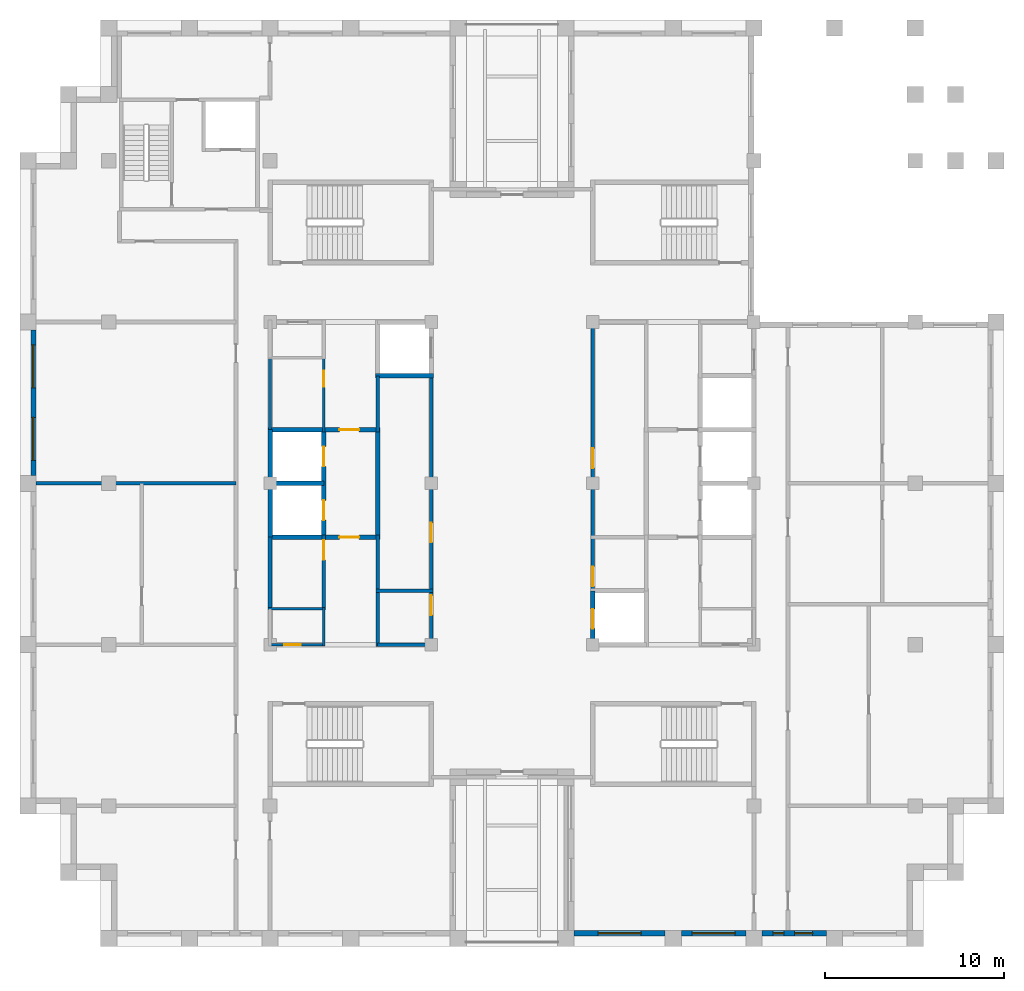
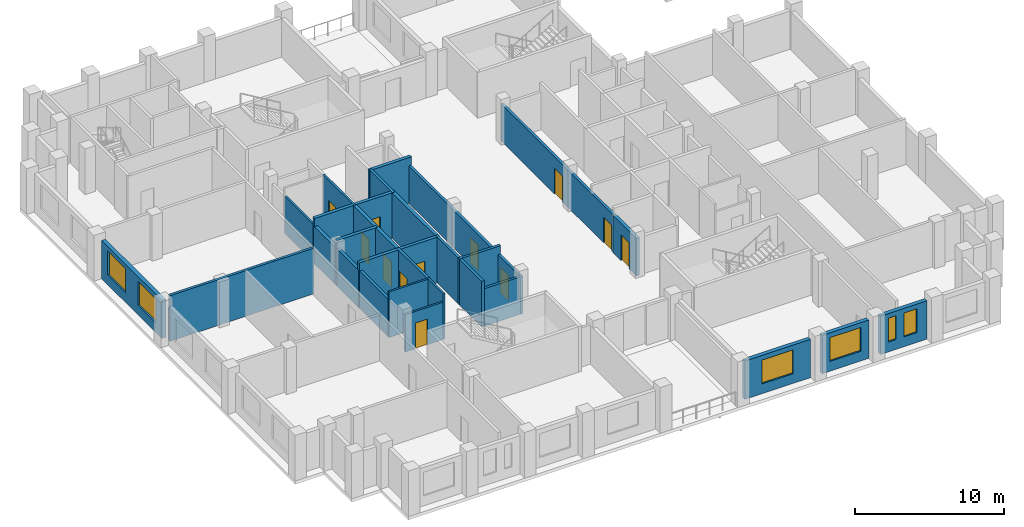
# One storey, part 3 of 8: 26 walls, 12 doors, 6 windows, 18 openings.
"""IFC4 building model written with IfcOpenShell, lengths in metres."""

from ifc_helpers import new_model, si_unit, direction, frame, frame_2d, origin, place, context, subcontext, project, spatial, rectangle, extrude, material, layer, layer_set, type_object, element, fill, save


model = new_model("IFC4")

# Units and contexts
model_context = context("Model", 3, precision=1e-05, world=origin(), true_north=direction((0.0, 1.0)))
body_context = subcontext(model_context, "Body", "Model", "MODEL_VIEW")
ifc_project = project(units=[si_unit("LENGTHUNIT", "METRE"), si_unit("AREAUNIT", "SQUARE_METRE"), si_unit("VOLUMEUNIT", "CUBIC_METRE"), si_unit("PLANEANGLEUNIT", "RADIAN"), si_unit("MASSUNIT", "GRAM", prefix="KILO")], contexts=[model_context])

# Site, building, storey
site_placement = place(None, origin())
site = spatial("IfcSite", under=ifc_project, at=site_placement, CompositionType="ELEMENT")
building_placement = place(site_placement, origin())
building = spatial("IfcBuilding", under=site, at=building_placement, Name="Corbelhall Arena Tower", CompositionType="ELEMENT")
storey_placement = place(building_placement, frame((0.0, 0.0, 326.0)))
storey = spatial("IfcBuildingStorey", under=building, at=storey_placement, Name="L71", CompositionType="ELEMENT", Elevation=326.0)

# Wall, openings, windows
ifc_material_1 = material(Name="Precast concrete C40/50 with granite facing", Category="masonry")
ifc_layer_1 = layer(ifc_material_1, 0.300048828125)
ifc_layer_set_1 = layer_set([ifc_layer_1], Name="EV-IW1 Infill panel 300")
wall_type_1 = type_object("IfcWallType", Name="EV-IW1 Infill panel 300", PredefinedType="SOLIDWALL", material=ifc_layer_set_1)
wall_1_placement = place(storey_placement, frame((-26.699951171875, 8.550048828125, 0.0), z_axis=(0.0, 0.0, 1.0), x_axis=(0.0, -1.0, 0.0)))
wall_1 = element("IfcWall", 1, at=wall_1_placement, inside=storey, type_object=wall_type_1, Name="Infill panel IW1", PredefinedType="SOLIDWALL", context=body_context, shape_type="SweptSolid", body=[
    extrude(rectangle(XDim=8.10009765625, YDim=0.300048828125, at=frame_2d((4.050048828125, 0.0))), origin(), (0.0, 0.0, 1.0), 3.139892578125),
])
opening_1_placement = place(wall_1_placement, frame((0.824951171875, 0.0, 0.800048828125)))
opening_1 = element("IfcOpeningElement", 2, at=opening_1_placement, cuts=wall_1, Name="Opening WN1", PredefinedType="OPENING", context=body_context, shape_type="SweptSolid", body=[
    extrude(rectangle(XDim=2.39990234375, YDim=1.949951171875, at=frame_2d((1.199951171875, 0.97509765625))), frame((0.0, 0.14990234375, 0.0), z_axis=(0.0, -1.0, 0.0), x_axis=(1.0, 0.0, 0.0)), (0.0, 0.0, 1.0), 0.300048828125),
])
opening_2_placement = place(wall_1_placement, frame((4.875, 0.0, 0.800048828125)))
opening_2 = element("IfcOpeningElement", 3, at=opening_2_placement, cuts=wall_1, Name="Opening WN1", PredefinedType="OPENING", context=body_context, shape_type="SweptSolid", body=[
    extrude(rectangle(XDim=2.39990234375, YDim=1.949951171875, at=frame_2d((1.199951171875, 0.97509765625))), frame((0.0, 0.14990234375, 0.0), z_axis=(0.0, -1.0, 0.0), x_axis=(1.0, 0.0, 0.0)), (0.0, 0.0, 1.0), 0.300048828125),
])
ifc_material_2 = material(Name="Aluminium black anodised", Category="aluminium")
window_type_1 = type_object("IfcWindowType", Name="EV-WN1 Office window", PartitioningType="SINGLE_PANEL", PredefinedType="WINDOW", material=ifc_material_2)
window_1_placement = place(opening_1_placement, origin())
window_1 = element("IfcWindow", 4, at=window_1_placement, inside=storey, type_object=window_type_1, Name="Window WN1", OverallHeight=1.949951171875, OverallWidth=2.39990234375, PartitioningType="SINGLE_PANEL", PredefinedType="WINDOW", context=body_context, shape_type="SweptSolid", body=[
    extrude(rectangle(XDim=2.39990234375, YDim=1.949951171875, at=frame_2d((1.199951171875, 0.97509765625))), frame((0.0, 0.030029296875, 0.0), z_axis=(0.0, -1.0, 0.0), x_axis=(1.0, 0.0, 0.0)), (0.0, 0.0, 1.0), 0.06005859375),
])
fill(opening_1, window_1)
window_2_placement = place(opening_2_placement, origin())
window_2 = element("IfcWindow", 5, at=window_2_placement, inside=storey, type_object=window_type_1, Name="Window WN1", OverallHeight=1.949951171875, OverallWidth=2.39990234375, PartitioningType="SINGLE_PANEL", PredefinedType="WINDOW", context=body_context, shape_type="SweptSolid", body=[
    extrude(rectangle(XDim=2.39990234375, YDim=1.949951171875, at=frame_2d((1.199951171875, 0.97509765625))), frame((0.0, 0.030029296875, 0.0), z_axis=(0.0, -1.0, 0.0), x_axis=(1.0, 0.0, 0.0)), (0.0, 0.0, 1.0), 0.06005859375),
])
fill(opening_2, window_2)

# Wall, opening, window
wall_2_placement = place(storey_placement, frame((3.449951171875, -25.10009765625, 0.0), z_axis=(0.0, 0.0, 1.0), x_axis=(1.0, 0.0, 0.0)))
wall_2 = element("IfcWall", 6, at=wall_2_placement, inside=storey, type_object=wall_type_1, Name="Infill panel IW1", PredefinedType="SOLIDWALL", context=body_context, shape_type="SweptSolid", body=[
    extrude(rectangle(XDim=5.10009765625, YDim=0.300048828125, at=frame_2d((2.550048828125, 0.0))), origin(), (0.0, 0.0, 1.0), 3.139892578125),
])
opening_3_placement = place(wall_2_placement, frame((1.35009765625, 0.0, 0.800048828125)))
opening_3 = element("IfcOpeningElement", 7, at=opening_3_placement, cuts=wall_2, Name="Opening WN1", PredefinedType="OPENING", context=body_context, shape_type="SweptSolid", body=[
    extrude(rectangle(XDim=2.39990234375, YDim=1.949951171875, at=frame_2d((1.199951171875, 0.97509765625))), frame((0.0, 0.14990234375, 0.0), z_axis=(0.0, -1.0, 0.0), x_axis=(1.0, 0.0, 0.0)), (0.0, 0.0, 1.0), 0.300048828125),
])
window_3_placement = place(opening_3_placement, origin())
window_3 = element("IfcWindow", 8, at=window_3_placement, inside=storey, type_object=window_type_1, Name="Window WN1", OverallHeight=1.949951171875, OverallWidth=2.39990234375, PartitioningType="SINGLE_PANEL", PredefinedType="WINDOW", context=body_context, shape_type="SweptSolid", body=[
    extrude(rectangle(XDim=2.39990234375, YDim=1.949951171875, at=frame_2d((1.199951171875, 0.97509765625))), frame((0.0, 0.030029296875, 0.0), z_axis=(0.0, -1.0, 0.0), x_axis=(1.0, 0.0, 0.0)), (0.0, 0.0, 1.0), 0.06005859375),
])
fill(opening_3, window_3)

wall_3_placement = place(storey_placement, frame((9.449951171875, -25.10009765625, 0.0), z_axis=(0.0, 0.0, 1.0), x_axis=(1.0, 0.0, 0.0)))
wall_3 = element("IfcWall", 9, at=wall_3_placement, inside=storey, type_object=wall_type_1, Name="Infill panel IW1", PredefinedType="SOLIDWALL", context=body_context, shape_type="SweptSolid", body=[
    extrude(rectangle(XDim=3.60009765625, YDim=0.300048828125, at=frame_2d((1.800048828125, 0.0))), origin(), (0.0, 0.0, 1.0), 3.139892578125),
])
opening_4_placement = place(wall_3_placement, frame((0.60009765625, 0.0, 0.800048828125)))
opening_4 = element("IfcOpeningElement", 10, at=opening_4_placement, cuts=wall_3, Name="Opening WN1", PredefinedType="OPENING", context=body_context, shape_type="SweptSolid", body=[
    extrude(rectangle(XDim=2.39990234375, YDim=1.949951171875, at=frame_2d((1.199951171875, 0.97509765625))), frame((0.0, 0.14990234375, 0.0), z_axis=(0.0, -1.0, 0.0), x_axis=(1.0, 0.0, 0.0)), (0.0, 0.0, 1.0), 0.300048828125),
])
window_4_placement = place(opening_4_placement, origin())
window_4 = element("IfcWindow", 11, at=window_4_placement, inside=storey, type_object=window_type_1, Name="Window WN1", OverallHeight=1.949951171875, OverallWidth=2.39990234375, PartitioningType="SINGLE_PANEL", PredefinedType="WINDOW", context=body_context, shape_type="SweptSolid", body=[
    extrude(rectangle(XDim=2.39990234375, YDim=1.949951171875, at=frame_2d((1.199951171875, 0.97509765625))), frame((0.0, 0.030029296875, 0.0), z_axis=(0.0, -1.0, 0.0), x_axis=(1.0, 0.0, 0.0)), (0.0, 0.0, 1.0), 0.06005859375),
])
fill(opening_4, window_4)

# Wall, openings, windows
wall_4_placement = place(storey_placement, frame((13.949951171875, -25.10009765625, 0.0), z_axis=(0.0, 0.0, 1.0), x_axis=(1.0, 0.0, 0.0)))
wall_4 = element("IfcWall", 12, at=wall_4_placement, inside=storey, type_object=wall_type_1, Name="Infill panel IW1", PredefinedType="SOLIDWALL", context=body_context, shape_type="SweptSolid", body=[
    extrude(rectangle(XDim=3.60009765625, YDim=0.300048828125, at=frame_2d((1.800048828125, 0.0))), origin(), (0.0, 0.0, 1.0), 3.139892578125),
])
opening_5_placement = place(wall_4_placement, frame((0.625, 0.0, 0.800048828125)))
opening_5 = element("IfcOpeningElement", 13, at=opening_5_placement, cuts=wall_4, Name="Opening WN5", PredefinedType="OPENING", context=body_context, shape_type="SweptSolid", body=[
    extrude(rectangle(XDim=0.60009765625, YDim=1.949951171875, at=frame_2d((0.300048828125, 0.97509765625))), frame((0.0, 0.14990234375, 0.0), z_axis=(0.0, -1.0, 0.0), x_axis=(1.0, 0.0, 0.0)), (0.0, 0.0, 1.0), 0.300048828125),
])
opening_6_placement = place(wall_4_placement, frame((1.824951171875, 0.0, 0.800048828125)))
opening_6 = element("IfcOpeningElement", 14, at=opening_6_placement, cuts=wall_4, Name="Opening WN6", PredefinedType="OPENING", context=body_context, shape_type="SweptSolid", body=[
    extrude(rectangle(XDim=1.0, YDim=1.949951171875, at=frame_2d((0.5, 0.97509765625))), frame((0.0, 0.14990234375, 0.0), z_axis=(0.0, -1.0, 0.0), x_axis=(1.0, 0.0, 0.0)), (0.0, 0.0, 1.0), 0.300048828125),
])
window_type_2 = type_object("IfcWindowType", Name="EV-WN5 Office window 600", PartitioningType="SINGLE_PANEL", PredefinedType="WINDOW", material=ifc_material_2)
window_5_placement = place(opening_5_placement, origin())
window_5 = element("IfcWindow", 15, at=window_5_placement, inside=storey, type_object=window_type_2, Name="Window WN5", OverallHeight=1.949951171875, OverallWidth=0.60009765625, PartitioningType="SINGLE_PANEL", PredefinedType="WINDOW", context=body_context, shape_type="SweptSolid", body=[
    extrude(rectangle(XDim=0.60009765625, YDim=1.949951171875, at=frame_2d((0.300048828125, 0.97509765625))), frame((0.0, 0.030029296875, 0.0), z_axis=(0.0, -1.0, 0.0), x_axis=(1.0, 0.0, 0.0)), (0.0, 0.0, 1.0), 0.06005859375),
])
fill(opening_5, window_5)
window_type_3 = type_object("IfcWindowType", Name="EV-WN6 Office window 1000", PartitioningType="SINGLE_PANEL", PredefinedType="WINDOW", material=ifc_material_2)
window_6_placement = place(opening_6_placement, origin())
window_6 = element("IfcWindow", 16, at=window_6_placement, inside=storey, type_object=window_type_3, Name="Window WN6", OverallHeight=1.949951171875, OverallWidth=1.0, PartitioningType="SINGLE_PANEL", PredefinedType="WINDOW", context=body_context, shape_type="SweptSolid", body=[
    extrude(rectangle(XDim=1.0, YDim=1.949951171875, at=frame_2d((0.5, 0.97509765625))), frame((0.0, 0.030029296875, 0.0), z_axis=(0.0, -1.0, 0.0), x_axis=(1.0, 0.0, 0.0)), (0.0, 0.0, 1.0), 0.06005859375),
])
fill(opening_6, window_6)

# Wall
ifc_material_3 = material(Name="Gypsum board on steel stud, acoustic", Category="steel")
ifc_layer_2 = layer(ifc_material_3, 0.199951171875)
ifc_layer_set_2 = layer_set([ifc_layer_2], Name="IN-W-DM200")
wall_type_2 = type_object("IfcWallType", Name="IN-W-DM200", PredefinedType="PARTITIONING", material=ifc_layer_set_2)
wall_5_placement = place(storey_placement, frame((-15.39990234375, 0.0, 0.0), z_axis=(0.0, 0.0, 1.0), x_axis=(-1.0, 0.0, 0.0)))
element("IfcWall", 17, at=wall_5_placement, inside=storey, type_object=wall_type_2, Name="Partition 007", PredefinedType="PARTITIONING", context=body_context, shape_type="SweptSolid", body=[
    extrude(rectangle(XDim=11.150146484375, YDim=0.199951171875, at=frame_2d((5.5751953125, 0.0))), origin(), (0.0, 0.0, 1.0), 3.739990234375),
])

# Wall, opening, door
ifc_material_4 = material(Name="Concrete block wall", Category="concrete")
ifc_layer_3 = layer(ifc_material_4, 0.199951171875)
ifc_layer_set_3 = layer_set([ifc_layer_3], Name="IN-W-RS200")
wall_type_3 = type_object("IfcWallType", Name="IN-W-RS200", PredefinedType="SOLIDWALL", material=ifc_layer_set_3)
wall_6_placement = place(storey_placement, frame((-10.5, -7.074951171875, 0.0), z_axis=(0.0, 0.0, 1.0), x_axis=(0.0, 1.0, 0.0)))
wall_6 = element("IfcWall", 18, at=wall_6_placement, inside=storey, type_object=wall_type_3, Name="Partition 029", PredefinedType="SOLIDWALL", context=body_context, shape_type="SweptSolid", body=[
    extrude(rectangle(XDim=4.199951171875, YDim=0.199951171875, at=frame_2d((2.10009765625, 0.0))), origin(), (0.0, 0.0, 1.0), 3.739990234375),
])
opening_7_placement = place(wall_6_placement, frame((2.800048828125, 0.0, 0.0)))
opening_7 = element("IfcOpeningElement", 19, at=opening_7_placement, cuts=wall_6, Name="Opening 23006", PredefinedType="OPENING", context=body_context, shape_type="SweptSolid", body=[
    extrude(rectangle(XDim=1.10009765625, YDim=2.10009765625, at=frame_2d((0.550048828125, 1.050048828125))), frame((0.0, 0.10009765625, 0.0), z_axis=(0.0, -1.0, 0.0), x_axis=(1.0, 0.0, 0.0)), (0.0, 0.0, 1.0), 0.199951171875),
])
ifc_material_5 = material(Name="Steel door set", Category="steel")
door_type_1 = type_object("IfcDoorType", Name="IN-D-FD110", OperationType="NOTDEFINED", PredefinedType="DOOR", material=ifc_material_5)
door_1_placement = place(opening_7_placement, origin())
door_1 = element("IfcDoor", 20, at=door_1_placement, inside=storey, type_object=door_type_1, Name="Door 006", OperationType="SINGLE_SWING_LEFT", OverallHeight=2.10009765625, OverallWidth=1.10009765625, PredefinedType="DOOR", context=body_context, shape_type="SweptSolid", body=[
    extrude(rectangle(XDim=1.10009765625, YDim=2.10009765625, at=frame_2d((0.550048828125, 1.050048828125))), frame((0.0, 0.02490234375, 0.0), z_axis=(0.0, -1.0, 0.0), x_axis=(1.0, 0.0, 0.0)), (0.0, 0.0, 1.0), 0.050048828125),
])
fill(opening_7, door_1)

# Walls
wall_7_placement = place(storey_placement, frame((-7.60009765625, -6.0, 0.0), z_axis=(0.0, 0.0, 1.0), x_axis=(1.0, 0.0, 0.0)))
element("IfcWall", 21, at=wall_7_placement, inside=storey, type_object=wall_type_3, Name="Partition 031", PredefinedType="SOLIDWALL", context=body_context, shape_type="SweptSolid", body=[
    extrude(rectangle(XDim=3.2001953125, YDim=0.199951171875, at=frame_2d((1.60009765625, 0.0))), origin(), (0.0, 0.0, 1.0), 3.739990234375),
])
wall_8_placement = place(storey_placement, frame((-7.5, -9.10009765625, 0.0), z_axis=(0.0, 0.0, 1.0), x_axis=(0.0, 1.0, 0.0)))
element("IfcWall", 22, at=wall_8_placement, inside=storey, type_object=wall_type_3, Name="Partition 032", PredefinedType="SOLIDWALL", context=body_context, shape_type="SweptSolid", body=[
    extrude(rectangle(XDim=6.22509765625, YDim=0.199951171875, at=frame_2d((3.112548828125, 0.0))), origin(), (0.0, 0.0, 1.0), 3.739990234375),
])
wall_9_placement = place(storey_placement, frame((-7.5, 2.875, 0.0), z_axis=(0.0, 0.0, 1.0), x_axis=(0.0, 1.0, 0.0)))
element("IfcWall", 23, at=wall_9_placement, inside=storey, type_object=wall_type_3, Name="Partition 033", PredefinedType="SOLIDWALL", context=body_context, shape_type="SweptSolid", body=[
    extrude(rectangle(XDim=3.125, YDim=0.199951171875, at=frame_2d((1.5625, 0.0))), origin(), (0.0, 0.0, 1.0), 3.739990234375),
])
ifc_layer_4 = layer(ifc_material_4, 0.199951171875)
ifc_layer_set_4 = layer_set([ifc_layer_4], Name="IN-W-RS200 under beam 678 mm")
wall_type_4 = type_object("IfcWallType", Name="IN-W-RS200 under beam 678 mm", PredefinedType="SOLIDWALL", material=ifc_layer_set_4)
wall_10_placement = place(storey_placement, frame((-13.5, -7.0, 0.0), z_axis=(0.0, 0.0, 1.0), x_axis=(0.0, 1.0, 0.0)))
element("IfcWall", 24, at=wall_10_placement, inside=storey, type_object=wall_type_4, Name="Partition 026", PredefinedType="SOLIDWALL", context=body_context, shape_type="SweptSolid", body=[
    extrude(rectangle(XDim=4.0, YDim=0.199951171875, at=frame_2d((2.0, 0.0))), origin(), (0.0, 0.0, 1.0), 3.061767578125),
])
wall_11_placement = place(storey_placement, frame((-4.5, -9.0, 0.0), z_axis=(0.0, 0.0, 1.0), x_axis=(-1.0, 0.0, 0.0)))
element("IfcWall", 25, at=wall_11_placement, inside=storey, type_object=wall_type_4, Name="Partition 034", PredefinedType="SOLIDWALL", context=body_context, shape_type="SweptSolid", body=[
    extrude(rectangle(XDim=3.0, YDim=0.199951171875, at=frame_2d((1.5, 0.0))), origin(), (0.0, 0.0, 1.0), 3.061767578125),
])

# Wall, openings, doors
wall_12_placement = place(storey_placement, frame((-4.5, 6.0, 0.0), z_axis=(0.0, 0.0, 1.0), x_axis=(0.0, -1.0, 0.0)))
wall_12 = element("IfcWall", 26, at=wall_12_placement, inside=storey, type_object=wall_type_4, Name="Partition 035", PredefinedType="SOLIDWALL", context=body_context, shape_type="SweptSolid", body=[
    extrude(rectangle(XDim=15.10009765625, YDim=0.199951171875, at=frame_2d((7.550048828125, 0.0))), origin(), (0.0, 0.0, 1.0), 3.061767578125),
])
opening_8_placement = place(wall_12_placement, frame((12.25, 0.0, 0.0)))
opening_8 = element("IfcOpeningElement", 27, at=opening_8_placement, cuts=wall_12, Name="Opening 23001", PredefinedType="OPENING", context=body_context, shape_type="SweptSolid", body=[
    extrude(rectangle(XDim=1.10009765625, YDim=2.10009765625, at=frame_2d((0.550048828125, 1.050048828125))), frame((0.0, 0.10009765625, 0.0), z_axis=(0.0, -1.0, 0.0), x_axis=(1.0, 0.0, 0.0)), (0.0, 0.0, 1.0), 0.199951171875),
])
opening_9_placement = place(wall_12_placement, frame((8.199951171875, 0.0, 0.0)))
opening_9 = element("IfcOpeningElement", 28, at=opening_9_placement, cuts=wall_12, Name="Opening 23002", PredefinedType="OPENING", context=body_context, shape_type="SweptSolid", body=[
    extrude(rectangle(XDim=1.10009765625, YDim=2.10009765625, at=frame_2d((0.550048828125, 1.050048828125))), frame((0.0, 0.10009765625, 0.0), z_axis=(0.0, -1.0, 0.0), x_axis=(1.0, 0.0, 0.0)), (0.0, 0.0, 1.0), 0.199951171875),
])
door_2_placement = place(opening_8_placement, origin())
door_2 = element("IfcDoor", 29, at=door_2_placement, inside=storey, type_object=door_type_1, Name="Door 001", OperationType="SINGLE_SWING_RIGHT", OverallHeight=2.10009765625, OverallWidth=1.10009765625, PredefinedType="DOOR", context=body_context, shape_type="SweptSolid", body=[
    extrude(rectangle(XDim=1.10009765625, YDim=2.10009765625, at=frame_2d((0.550048828125, 1.050048828125))), frame((0.0, 0.02490234375, 0.0), z_axis=(0.0, -1.0, 0.0), x_axis=(1.0, 0.0, 0.0)), (0.0, 0.0, 1.0), 0.050048828125),
])
fill(opening_8, door_2)
door_3_placement = place(opening_9_placement, origin())
door_3 = element("IfcDoor", 30, at=door_3_placement, inside=storey, type_object=door_type_1, Name="Door 002", OperationType="SINGLE_SWING_LEFT", OverallHeight=2.10009765625, OverallWidth=1.10009765625, PredefinedType="DOOR", context=body_context, shape_type="SweptSolid", body=[
    extrude(rectangle(XDim=1.10009765625, YDim=2.10009765625, at=frame_2d((0.550048828125, 1.050048828125))), frame((0.0, 0.02490234375, 0.0), z_axis=(0.0, -1.0, 0.0), x_axis=(1.0, 0.0, 0.0)), (0.0, 0.0, 1.0), 0.050048828125),
])
fill(opening_9, door_3)

wall_13_placement = place(storey_placement, frame((4.5, -6.0, 0.0), z_axis=(0.0, 0.0, 1.0), x_axis=(0.0, 1.0, 0.0)))
wall_13 = element("IfcWall", 31, at=wall_13_placement, inside=storey, type_object=wall_type_4, Name="Partition 037", PredefinedType="SOLIDWALL", context=body_context, shape_type="SweptSolid", body=[
    extrude(rectangle(XDim=15.10009765625, YDim=0.199951171875, at=frame_2d((7.550048828125, 0.0))), origin(), (0.0, 0.0, 1.0), 3.061767578125),
])
opening_10_placement = place(wall_13_placement, frame((0.25, 0.0, 0.0)))
opening_10 = element("IfcOpeningElement", 32, at=opening_10_placement, cuts=wall_13, Name="Opening 23009", PredefinedType="OPENING", context=body_context, shape_type="SweptSolid", body=[
    extrude(rectangle(XDim=1.10009765625, YDim=2.10009765625, at=frame_2d((0.550048828125, 1.050048828125))), frame((0.0, 0.10009765625, 0.0), z_axis=(0.0, -1.0, 0.0), x_axis=(1.0, 0.0, 0.0)), (0.0, 0.0, 1.0), 0.199951171875),
])
opening_11_placement = place(wall_13_placement, frame((6.85009765625, 0.0, 0.0)))
opening_11 = element("IfcOpeningElement", 33, at=opening_11_placement, cuts=wall_13, Name="Opening 23010", PredefinedType="OPENING", context=body_context, shape_type="SweptSolid", body=[
    extrude(rectangle(XDim=1.10009765625, YDim=2.10009765625, at=frame_2d((0.550048828125, 1.050048828125))), frame((0.0, 0.10009765625, 0.0), z_axis=(0.0, -1.0, 0.0), x_axis=(1.0, 0.0, 0.0)), (0.0, 0.0, 1.0), 0.199951171875),
])
door_4_placement = place(opening_10_placement, origin())
door_4 = element("IfcDoor", 34, at=door_4_placement, inside=storey, type_object=door_type_1, Name="Door 009", OperationType="SINGLE_SWING_RIGHT", OverallHeight=2.10009765625, OverallWidth=1.10009765625, PredefinedType="DOOR", context=body_context, shape_type="SweptSolid", body=[
    extrude(rectangle(XDim=1.10009765625, YDim=2.10009765625, at=frame_2d((0.550048828125, 1.050048828125))), frame((0.0, 0.02490234375, 0.0), z_axis=(0.0, -1.0, 0.0), x_axis=(1.0, 0.0, 0.0)), (0.0, 0.0, 1.0), 0.050048828125),
])
fill(opening_10, door_4)
door_5_placement = place(opening_11_placement, origin())
door_5 = element("IfcDoor", 35, at=door_5_placement, inside=storey, type_object=door_type_1, Name="Door 010", OperationType="SINGLE_SWING_LEFT", OverallHeight=2.10009765625, OverallWidth=1.10009765625, PredefinedType="DOOR", context=body_context, shape_type="SweptSolid", body=[
    extrude(rectangle(XDim=1.10009765625, YDim=2.10009765625, at=frame_2d((0.550048828125, 1.050048828125))), frame((0.0, 0.02490234375, 0.0), z_axis=(0.0, -1.0, 0.0), x_axis=(1.0, 0.0, 0.0)), (0.0, 0.0, 1.0), 0.050048828125),
])
fill(opening_11, door_5)

# Wall
ifc_material_6 = material(Name="Concrete C40/50", Category="concrete")
ifc_layer_5 = layer(ifc_material_6, 0.25)
ifc_layer_set_5 = layer_set([ifc_layer_5], Name="IN-W-SH250")
wall_type_5 = type_object("IfcWallType", Name="IN-W-SH250", PredefinedType="SOLIDWALL", material=ifc_layer_set_5)
wall_14_placement = place(storey_placement, frame((-13.625, 0.0, 0.0), z_axis=(0.0, 0.0, 1.0), x_axis=(1.0, 0.0, 0.0)))
element("IfcWall", 36, at=wall_14_placement, inside=storey, type_object=wall_type_5, Name="Shaft wall 046", PredefinedType="SOLIDWALL", context=body_context, shape_type="SweptSolid", body=[
    extrude(rectangle(XDim=3.125, YDim=0.25, at=frame_2d((1.5625, 0.0))), origin(), (0.0, 0.0, 1.0), 3.739990234375),
])

# Wall, opening, door
wall_15_placement = place(storey_placement, frame((-13.625, 3.0, 0.0), z_axis=(0.0, 0.0, 1.0), x_axis=(1.0, 0.0, 0.0)))
wall_15 = element("IfcWall", 37, at=wall_15_placement, inside=storey, type_object=wall_type_5, Name="Shaft wall 047", PredefinedType="SOLIDWALL", context=body_context, shape_type="SweptSolid", body=[
    extrude(rectangle(XDim=6.125, YDim=0.25, at=frame_2d((3.0625, 0.0))), origin(), (0.0, 0.0, 1.0), 3.739990234375),
])
opening_12_placement = place(wall_15_placement, frame((4.0, 0.0, 0.0)))
opening_12 = element("IfcOpeningElement", 38, at=opening_12_placement, cuts=wall_15, Name="Opening 23004", PredefinedType="OPENING", context=body_context, shape_type="SweptSolid", body=[
    extrude(rectangle(XDim=1.10009765625, YDim=2.10009765625, at=frame_2d((0.550048828125, 1.050048828125))), frame((0.0, 0.125, 0.0), z_axis=(0.0, -1.0, 0.0), x_axis=(1.0, 0.0, 0.0)), (0.0, 0.0, 1.0), 0.25),
])
door_6_placement = place(opening_12_placement, origin())
door_6 = element("IfcDoor", 39, at=door_6_placement, inside=storey, type_object=door_type_1, Name="Door 004", OperationType="SINGLE_SWING_LEFT", OverallHeight=2.10009765625, OverallWidth=1.10009765625, PredefinedType="DOOR", context=body_context, shape_type="SweptSolid", body=[
    extrude(rectangle(XDim=1.10009765625, YDim=2.10009765625, at=frame_2d((0.550048828125, 1.050048828125))), frame((0.0, 0.02490234375, 0.0), z_axis=(0.0, -1.0, 0.0), x_axis=(1.0, 0.0, 0.0)), (0.0, 0.0, 1.0), 0.050048828125),
])
fill(opening_12, door_6)

wall_16_placement = place(storey_placement, frame((-13.625, -3.0, 0.0), z_axis=(0.0, 0.0, 1.0), x_axis=(1.0, 0.0, 0.0)))
wall_16 = element("IfcWall", 40, at=wall_16_placement, inside=storey, type_object=wall_type_5, Name="Shaft wall 049", PredefinedType="SOLIDWALL", context=body_context, shape_type="SweptSolid", body=[
    extrude(rectangle(XDim=6.125, YDim=0.25, at=frame_2d((3.0625, 0.0))), origin(), (0.0, 0.0, 1.0), 3.739990234375),
])
opening_13_placement = place(wall_16_placement, frame((4.0, 0.0, 0.0)))
opening_13 = element("IfcOpeningElement", 41, at=opening_13_placement, cuts=wall_16, Name="Opening 23003", PredefinedType="OPENING", context=body_context, shape_type="SweptSolid", body=[
    extrude(rectangle(XDim=1.10009765625, YDim=2.10009765625, at=frame_2d((0.550048828125, 1.050048828125))), frame((0.0, 0.125, 0.0), z_axis=(0.0, -1.0, 0.0), x_axis=(1.0, 0.0, 0.0)), (0.0, 0.0, 1.0), 0.25),
])
door_7_placement = place(opening_13_placement, origin())
door_7 = element("IfcDoor", 42, at=door_7_placement, inside=storey, type_object=door_type_1, Name="Door 003", OperationType="SINGLE_SWING_RIGHT", OverallHeight=2.10009765625, OverallWidth=1.10009765625, PredefinedType="DOOR", context=body_context, shape_type="SweptSolid", body=[
    extrude(rectangle(XDim=1.10009765625, YDim=2.10009765625, at=frame_2d((0.550048828125, 1.050048828125))), frame((0.0, 0.02490234375, 0.0), z_axis=(0.0, -1.0, 0.0), x_axis=(1.0, 0.0, 0.0)), (0.0, 0.0, 1.0), 0.050048828125),
])
fill(opening_13, door_7)

# Wall, openings, doors
wall_17_placement = place(storey_placement, frame((-10.5, -3.125, 0.0), z_axis=(0.0, 0.0, 1.0), x_axis=(0.0, 1.0, 0.0)))
wall_17 = element("IfcWall", 43, at=wall_17_placement, inside=storey, type_object=wall_type_5, Name="Shaft wall 050", PredefinedType="SOLIDWALL", context=body_context, shape_type="SweptSolid", body=[
    extrude(rectangle(XDim=6.25, YDim=0.25, at=frame_2d((3.125, 0.0))), origin(), (0.0, 0.0, 1.0), 3.739990234375),
])
opening_14_placement = place(wall_17_placement, frame((1.074951171875, 0.0, 0.0)))
opening_14 = element("IfcOpeningElement", 44, at=opening_14_placement, cuts=wall_17, Name="Opening LD", PredefinedType="OPENING", context=body_context, shape_type="SweptSolid", body=[
    extrude(rectangle(XDim=1.10009765625, YDim=2.10009765625, at=frame_2d((0.550048828125, 1.050048828125))), frame((0.0, 0.125, 0.0), z_axis=(0.0, -1.0, 0.0), x_axis=(1.0, 0.0, 0.0)), (0.0, 0.0, 1.0), 0.25),
])
opening_15_placement = place(wall_17_placement, frame((4.074951171875, 0.0, 0.0)))
opening_15 = element("IfcOpeningElement", 45, at=opening_15_placement, cuts=wall_17, Name="Opening LD", PredefinedType="OPENING", context=body_context, shape_type="SweptSolid", body=[
    extrude(rectangle(XDim=1.10009765625, YDim=2.10009765625, at=frame_2d((0.550048828125, 1.050048828125))), frame((0.0, 0.125, 0.0), z_axis=(0.0, -1.0, 0.0), x_axis=(1.0, 0.0, 0.0)), (0.0, 0.0, 1.0), 0.25),
])
door_type_2 = type_object("IfcDoorType", Name="IN-D-LD110", OperationType="NOTDEFINED", PredefinedType="DOOR", material=ifc_material_5)
door_8_placement = place(opening_14_placement, origin())
door_8 = element("IfcDoor", 46, at=door_8_placement, inside=storey, type_object=door_type_2, Name="Landing door W3", OperationType="SLIDING_TO_LEFT", OverallHeight=2.10009765625, OverallWidth=1.10009765625, PredefinedType="DOOR", context=body_context, shape_type="SweptSolid", body=[
    extrude(rectangle(XDim=1.10009765625, YDim=2.10009765625, at=frame_2d((0.550048828125, 1.050048828125))), frame((0.0, 0.02490234375, 0.0), z_axis=(0.0, -1.0, 0.0), x_axis=(1.0, 0.0, 0.0)), (0.0, 0.0, 1.0), 0.050048828125),
])
fill(opening_14, door_8)
door_9_placement = place(opening_15_placement, origin())
door_9 = element("IfcDoor", 47, at=door_9_placement, inside=storey, type_object=door_type_2, Name="Landing door W4", OperationType="SLIDING_TO_LEFT", OverallHeight=2.10009765625, OverallWidth=1.10009765625, PredefinedType="DOOR", context=body_context, shape_type="SweptSolid", body=[
    extrude(rectangle(XDim=1.10009765625, YDim=2.10009765625, at=frame_2d((0.550048828125, 1.050048828125))), frame((0.0, 0.02490234375, 0.0), z_axis=(0.0, -1.0, 0.0), x_axis=(1.0, 0.0, 0.0)), (0.0, 0.0, 1.0), 0.050048828125),
])
fill(opening_15, door_9)

# Walls
wall_18_placement = place(storey_placement, frame((-7.625, 6.0, 0.0), z_axis=(0.0, 0.0, 1.0), x_axis=(1.0, 0.0, 0.0)))
element("IfcWall", 48, at=wall_18_placement, inside=storey, type_object=wall_type_5, Name="Shaft wall 051", PredefinedType="SOLIDWALL", context=body_context, shape_type="SweptSolid", body=[
    extrude(rectangle(XDim=3.25, YDim=0.25, at=frame_2d((1.625, 0.0))), origin(), (0.0, 0.0, 1.0), 3.739990234375),
])
wall_19_placement = place(storey_placement, frame((-7.5, -3.125, 0.0), z_axis=(0.0, 0.0, 1.0), x_axis=(0.0, 1.0, 0.0)))
element("IfcWall", 49, at=wall_19_placement, inside=storey, type_object=wall_type_5, Name="Shaft wall 052", PredefinedType="SOLIDWALL", context=body_context, shape_type="SweptSolid", body=[
    extrude(rectangle(XDim=6.25, YDim=0.25, at=frame_2d((3.125, 0.0))), origin(), (0.0, 0.0, 1.0), 3.739990234375),
])
ifc_layer_6 = layer(ifc_material_6, 0.25)
ifc_layer_set_6 = layer_set([ifc_layer_6], Name="IN-W-SH250 under beam 678 mm")
wall_type_6 = type_object("IfcWallType", Name="IN-W-SH250 under beam 678 mm", PredefinedType="SOLIDWALL", material=ifc_layer_set_6)
wall_20_placement = place(storey_placement, frame((-13.5, -3.0, 0.0), z_axis=(0.0, 0.0, 1.0), x_axis=(0.0, 1.0, 0.0)))
element("IfcWall", 50, at=wall_20_placement, inside=storey, type_object=wall_type_6, Name="Shaft wall 048", PredefinedType="SOLIDWALL", context=body_context, shape_type="SweptSolid", body=[
    extrude(rectangle(XDim=6.0, YDim=0.25, at=frame_2d((3.0, 0.0))), origin(), (0.0, 0.0, 1.0), 3.061767578125),
])

# Wall, opening, door
wall_21_placement = place(storey_placement, frame((4.5, -9.125, 0.0), z_axis=(0.0, 0.0, 1.0), x_axis=(0.0, 1.0, 0.0)))
wall_21 = element("IfcWall", 51, at=wall_21_placement, inside=storey, type_object=wall_type_6, Name="Shaft wall 057", PredefinedType="SOLIDWALL", context=body_context, shape_type="SweptSolid", body=[
    extrude(rectangle(XDim=3.125, YDim=0.25, at=frame_2d((1.5625, 0.0))), origin(), (0.0, 0.0, 1.0), 3.061767578125),
])
opening_16_placement = place(wall_21_placement, frame((1.012451171875, 0.0, 0.0)))
opening_16 = element("IfcOpeningElement", 52, at=opening_16_placement, cuts=wall_21, Name="Opening LD", PredefinedType="OPENING", context=body_context, shape_type="SweptSolid", body=[
    extrude(rectangle(XDim=1.10009765625, YDim=2.10009765625, at=frame_2d((0.550048828125, 1.050048828125))), frame((0.0, 0.125, 0.0), z_axis=(0.0, -1.0, 0.0), x_axis=(1.0, 0.0, 0.0)), (0.0, 0.0, 1.0), 0.25),
])
door_10_placement = place(opening_16_placement, origin())
door_10 = element("IfcDoor", 53, at=door_10_placement, inside=storey, type_object=door_type_2, Name="Landing door E1", OperationType="SLIDING_TO_LEFT", OverallHeight=2.10009765625, OverallWidth=1.10009765625, PredefinedType="DOOR", context=body_context, shape_type="SweptSolid", body=[
    extrude(rectangle(XDim=1.10009765625, YDim=2.10009765625, at=frame_2d((0.550048828125, 1.050048828125))), frame((0.0, 0.02490234375, 0.0), z_axis=(0.0, -1.0, 0.0), x_axis=(1.0, 0.0, 0.0)), (0.0, 0.0, 1.0), 0.050048828125),
])
fill(opening_16, door_10)

# Walls
ifc_material_7 = material(Name="Gypsum board on steel stud, moisture resistant", Category="steel")
ifc_layer_7 = layer(ifc_material_7, 0.14990234375)
ifc_layer_set_7 = layer_set([ifc_layer_7], Name="IN-W-WC150")
wall_type_7 = type_object("IfcWallType", Name="IN-W-WC150", PredefinedType="PARTITIONING", material=ifc_layer_set_7)
wall_22_placement = place(storey_placement, frame((-13.60009765625, -7.0, 0.0), z_axis=(0.0, 0.0, 1.0), x_axis=(1.0, 0.0, 0.0)))
element("IfcWall", 54, at=wall_22_placement, inside=storey, type_object=wall_type_7, Name="Partition 082", PredefinedType="PARTITIONING", context=body_context, shape_type="SweptSolid", body=[
    extrude(rectangle(XDim=3.10009765625, YDim=0.14990234375, at=frame_2d((1.550048828125, 0.0))), origin(), (0.0, 0.0, 1.0), 3.739990234375),
])
wall_23_placement = place(storey_placement, frame((-10.5, -9.074951171875, 0.0), z_axis=(0.0, 0.0, 1.0), x_axis=(0.0, 1.0, 0.0)))
element("IfcWall", 55, at=wall_23_placement, inside=storey, type_object=wall_type_7, Name="Partition 086", PredefinedType="PARTITIONING", context=body_context, shape_type="SweptSolid", body=[
    extrude(rectangle(XDim=2.14990234375, YDim=0.14990234375, at=frame_2d((1.074951171875, 0.0))), origin(), (0.0, 0.0, 1.0), 3.739990234375),
])

# Wall, opening, door
wall_24_placement = place(storey_placement, frame((-10.5, 2.875, 0.0), z_axis=(0.0, 0.0, 1.0), x_axis=(0.0, 1.0, 0.0)))
wall_24 = element("IfcWall", 56, at=wall_24_placement, inside=storey, type_object=wall_type_7, Name="Partition 088", PredefinedType="PARTITIONING", context=body_context, shape_type="SweptSolid", body=[
    extrude(rectangle(XDim=4.199951171875, YDim=0.14990234375, at=frame_2d((2.10009765625, 0.0))), origin(), (0.0, 0.0, 1.0), 3.739990234375),
])
opening_17_placement = place(wall_24_placement, frame((2.5, 0.0, 0.0)))
opening_17 = element("IfcOpeningElement", 57, at=opening_17_placement, cuts=wall_24, Name="Opening 23007", PredefinedType="OPENING", context=body_context, shape_type="SweptSolid", body=[
    extrude(rectangle(XDim=0.89990234375, YDim=2.10009765625, at=frame_2d((0.449951171875, 1.050048828125))), frame((0.0, 0.074951171875, 0.0), z_axis=(0.0, -1.0, 0.0), x_axis=(1.0, 0.0, 0.0)), (0.0, 0.0, 1.0), 0.14990234375),
])
ifc_material_8 = material(Name="Timber door set", Category="wood")
door_type_3 = type_object("IfcDoorType", Name="IN-D-SW90", OperationType="NOTDEFINED", PredefinedType="DOOR", material=ifc_material_8)
door_11_placement = place(opening_17_placement, origin())
door_11 = element("IfcDoor", 58, at=door_11_placement, inside=storey, type_object=door_type_3, Name="Door 007", OperationType="SINGLE_SWING_RIGHT", OverallHeight=2.10009765625, OverallWidth=0.89990234375, PredefinedType="DOOR", context=body_context, shape_type="SweptSolid", body=[
    extrude(rectangle(XDim=0.89990234375, YDim=2.10009765625, at=frame_2d((0.449951171875, 1.050048828125))), frame((0.0, 0.02490234375, 0.0), z_axis=(0.0, -1.0, 0.0), x_axis=(1.0, 0.0, 0.0)), (0.0, 0.0, 1.0), 0.050048828125),
])
fill(opening_17, door_11)

# Wall
ifc_layer_8 = layer(ifc_material_7, 0.14990234375)
ifc_layer_set_8 = layer_set([ifc_layer_8], Name="IN-W-WC150 under beam 678 mm")
wall_type_8 = type_object("IfcWallType", Name="IN-W-WC150 under beam 678 mm", PredefinedType="PARTITIONING", material=ifc_layer_set_8)
wall_25_placement = place(storey_placement, frame((-13.5, 3.0, 0.0), z_axis=(0.0, 0.0, 1.0), x_axis=(0.0, 1.0, 0.0)))
element("IfcWall", 59, at=wall_25_placement, inside=storey, type_object=wall_type_8, Name="Partition 085", PredefinedType="PARTITIONING", context=body_context, shape_type="SweptSolid", body=[
    extrude(rectangle(XDim=4.0, YDim=0.14990234375, at=frame_2d((2.0, 0.0))), origin(), (0.0, 0.0, 1.0), 3.061767578125),
])

# Wall, opening, door
wall_26_placement = place(storey_placement, frame((-10.5, -9.0, 0.0), z_axis=(0.0, 0.0, 1.0), x_axis=(-1.0, 0.0, 0.0)))
wall_26 = element("IfcWall", 60, at=wall_26_placement, inside=storey, type_object=wall_type_8, Name="Partition 087", PredefinedType="PARTITIONING", context=body_context, shape_type="SweptSolid", body=[
    extrude(rectangle(XDim=3.0, YDim=0.14990234375, at=frame_2d((1.5, 0.0))), origin(), (0.0, 0.0, 1.0), 3.061767578125),
])
opening_18_placement = place(wall_26_placement, frame((1.300048828125, 0.0, 0.0)))
opening_18 = element("IfcOpeningElement", 61, at=opening_18_placement, cuts=wall_26, Name="Opening 23005", PredefinedType="OPENING", context=body_context, shape_type="SweptSolid", body=[
    extrude(rectangle(XDim=0.89990234375, YDim=2.10009765625, at=frame_2d((0.449951171875, 1.050048828125))), frame((0.0, 0.074951171875, 0.0), z_axis=(0.0, -1.0, 0.0), x_axis=(1.0, 0.0, 0.0)), (0.0, 0.0, 1.0), 0.14990234375),
])
door_12_placement = place(opening_18_placement, origin())
door_12 = element("IfcDoor", 62, at=door_12_placement, inside=storey, type_object=door_type_3, Name="Door 005", OperationType="SINGLE_SWING_RIGHT", OverallHeight=2.10009765625, OverallWidth=0.89990234375, PredefinedType="DOOR", context=body_context, shape_type="SweptSolid", body=[
    extrude(rectangle(XDim=0.89990234375, YDim=2.10009765625, at=frame_2d((0.449951171875, 1.050048828125))), frame((0.0, 0.02490234375, 0.0), z_axis=(0.0, -1.0, 0.0), x_axis=(1.0, 0.0, 0.0)), (0.0, 0.0, 1.0), 0.050048828125),
])
fill(opening_18, door_12)

save(model, "model.ifc")
